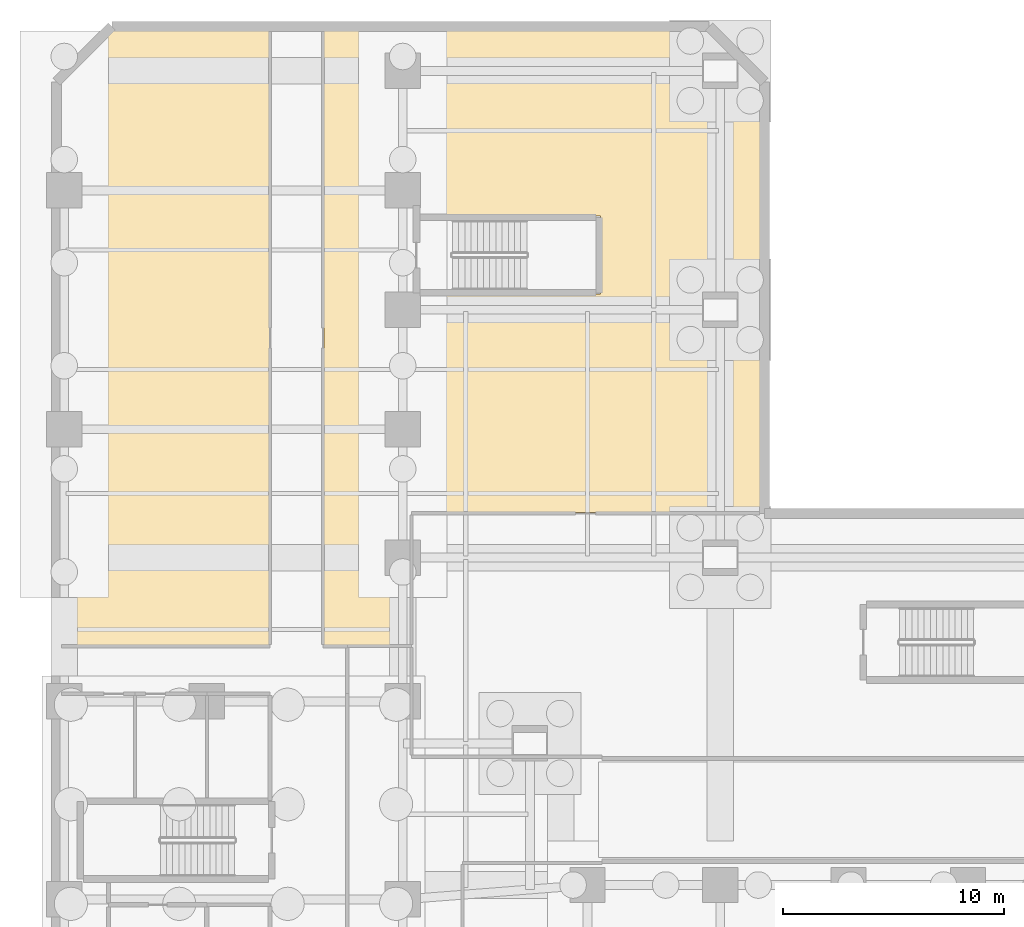
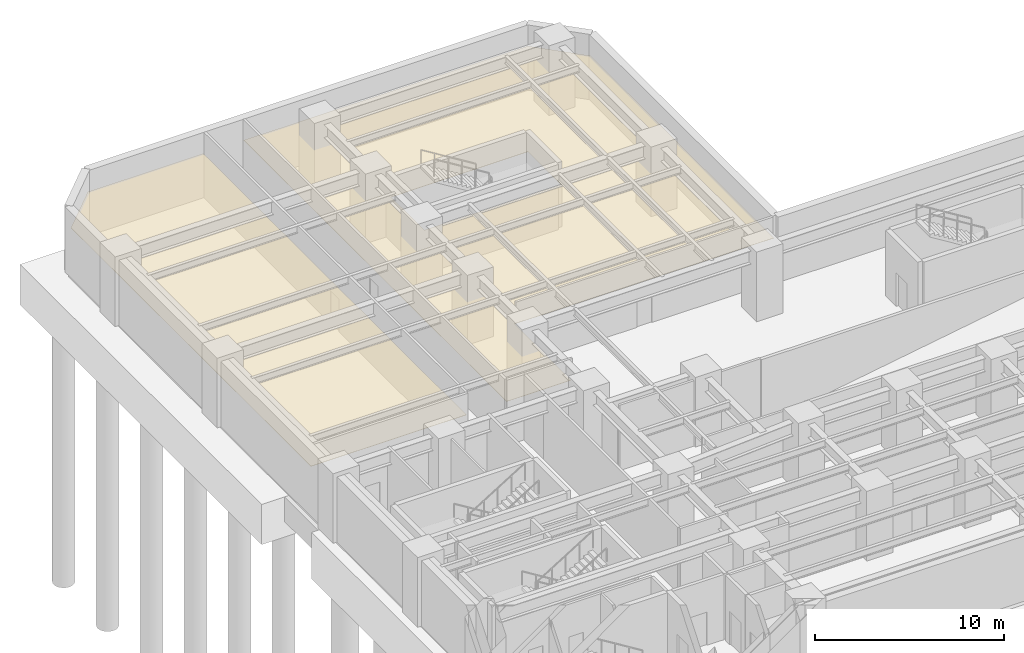
# One storey, part 8 of 10: 2 coverings.
"""IFC4 building model written with IfcOpenShell, lengths in metres."""

import ifcopenshell
import ifcopenshell.guid

model = None  # the IFC model being written
_history = None  # IfcOwnerHistory: only IFC2X3 demands one
_inside = {}  # id of a spatial element -> (the spatial element, [elements in it])
_under = {}  # id of a project, library or spatial element -> (it, [spatial elements below it])
_declared = {}  # id of a project -> (the project, [libraries it declares])
_typed = {}  # id of a type object -> (the type object, [elements of that type])
_made_of = {}  # id of a material, layer set ... -> (it, [elements and type objects made of it])


def new_model(schema):
    """Start an empty IFC model of exactly this schema.

    Asked for "IFC4X3", IfcOpenShell would pick the latest addendum, in which some entities
    have other attributes; the version numbers below select the first issue.
    IFC2X3 requires an IfcOwnerHistory on every rooted entity: one is made here for all.
    """
    global model, _history
    if schema == "IFC4X3":
        model = ifcopenshell.file(schema_version=(4, 3, 0, 0))
    else:
        model = ifcopenshell.file(schema=schema)
    _inside.clear()
    _under.clear()
    _declared.clear()
    _typed.clear()
    _made_of.clear()
    _history = None
    if model.schema == "IFC2X3":
        org = make("IfcOrganization", Name="unknown")
        user = make(
            "IfcPersonAndOrganization",
            ThePerson=make("IfcPerson", FamilyName="unknown"),
            TheOrganization=org,
        )
        app = make(
            "IfcApplication",
            ApplicationDeveloper=org,
            Version="unknown",
            ApplicationFullName="unknown",
            ApplicationIdentifier="unknown",
        )
        _history = make(
            "IfcOwnerHistory",
            OwningUser=user,
            OwningApplication=app,
            ChangeAction="ADDED",
            CreationDate=0,
        )
    return model


def make(cls, **values):
    """One entity of the class cls with the attributes given. An attribute that is None is left unset."""
    return model.create_entity(
        cls, **{name: value for name, value in values.items() if value is not None}
    )


def rooted(cls, **values):
    """An entity with a GlobalId (a new one), such as an element, a storey or a relation."""
    return make(cls, GlobalId=ifcopenshell.guid.new(), OwnerHistory=_history, **values)


def si_unit(unit_type, name, prefix=None):
    """IfcSIUnit, for example si_unit("LENGTHUNIT", "METRE", prefix="MILLI")."""
    return make("IfcSIUnit", UnitType=unit_type, Prefix=prefix, Name=name)


def assignment(units):
    """IfcUnitAssignment: the units of a project."""
    return None if units is None else make("IfcUnitAssignment", Units=units)


def point(xyz):
    """IfcCartesianPoint."""
    return None if xyz is None else make("IfcCartesianPoint", Coordinates=xyz)


def direction(xyz):
    """IfcDirection."""
    return None if xyz is None else make("IfcDirection", DirectionRatios=xyz)


def frame(location, z_axis=None, x_axis=None):
    """IfcAxis2Placement3D, a coordinate frame: its origin and axes. An axis left out is left unset."""
    return make(
        "IfcAxis2Placement3D",
        Location=point(location),
        Axis=direction(z_axis),
        RefDirection=direction(x_axis),
    )


def origin():
    """The frame at (0, 0, 0) with its axes left unset."""
    return frame((0.0, 0.0, 0.0))


def place(relative_to, where):
    """IfcLocalPlacement: puts the frame where relative to a parent placement (None: the world)."""
    return make(
        "IfcLocalPlacement", PlacementRelTo=relative_to, RelativePlacement=where
    )


def context(
    kind, dimensions, precision=None, world=None, true_north=None, identifier=None
):
    """IfcGeometricRepresentationContext, for example the 3D "Model" context."""
    return make(
        "IfcGeometricRepresentationContext",
        ContextIdentifier=identifier,
        ContextType=kind,
        CoordinateSpaceDimension=dimensions,
        Precision=precision,
        WorldCoordinateSystem=world,
        TrueNorth=true_north,
    )


def subcontext(parent, identifier, kind, view, scale=None):
    """IfcGeometricRepresentationSubContext, for example "Body" below "Model"."""
    return make(
        "IfcGeometricRepresentationSubContext",
        ContextIdentifier=identifier,
        ContextType=kind,
        ParentContext=parent,
        TargetScale=scale,
        TargetView=view,
    )


def project(units=None, contexts=None):
    """IfcProject with its units and contexts."""
    return rooted(
        "IfcProject",
        Name="project",
        RepresentationContexts=contexts,
        UnitsInContext=assignment(units),
    )


def spatial(cls, under=None, at=None, **own):
    """A site, building, storey or space (cls), placed at a placement, below another one or the project."""
    s = rooted(cls, ObjectPlacement=at, **own)
    if under is not None:
        _under.setdefault(under.id(), (under, []))[1].append(s)
    return s


def polyline(points):
    """IfcPolyline through the points."""
    return make("IfcPolyline", Points=[point(p) for p in points])


def outline(outer, holes=None, kind="AREA"):
    """IfcArbitraryClosedProfileDef: a profile drawn as a closed curve; with holes, ...WithVoids."""
    if holes is None:
        return make("IfcArbitraryClosedProfileDef", ProfileType=kind, OuterCurve=outer)
    return make(
        "IfcArbitraryProfileDefWithVoids",
        ProfileType=kind,
        OuterCurve=outer,
        InnerCurves=holes,
    )


def extrude(swept, where, along, depth):
    """IfcExtrudedAreaSolid: the profile swept, set in the frame where, extruded along a direction by depth."""
    return make(
        "IfcExtrudedAreaSolid",
        SweptArea=swept,
        Position=where,
        ExtrudedDirection=direction(along),
        Depth=depth,
    )


def shape(context_of_items, identifier, shape_type, items):
    """IfcShapeRepresentation: the items that make up one representation, for example the "Body"."""
    return make(
        "IfcShapeRepresentation",
        ContextOfItems=context_of_items,
        RepresentationIdentifier=identifier,
        RepresentationType=shape_type,
        Items=items,
    )


def material(Name=None, Category=None):
    """IfcMaterial."""
    return make("IfcMaterial", Name=Name, Category=Category)


def layer(
    of_material, thickness, ventilated=None, Name=None, Category=None, Priority=None
):
    """IfcMaterialLayer: one layer of a wall or slab, of a material (None: an air gap)."""
    return make(
        "IfcMaterialLayer",
        Material=of_material,
        LayerThickness=thickness,
        IsVentilated=ventilated,
        Name=Name,
        Category=Category,
        Priority=Priority,
    )


def layer_set(layers, Name=None):
    """IfcMaterialLayerSet."""
    return make("IfcMaterialLayerSet", MaterialLayers=layers, LayerSetName=Name)


def made_of(thing, what):
    """Note that an element or type object is made of a material, layer set ...; save() writes the relation."""
    if what is not None:
        _made_of.setdefault(what.id(), (what, []))[1].append(thing)
    return thing


def type_object(cls, material=None, **own):
    """A type object (cls), such as IfcWallType, which elements share."""
    return made_of(rooted(cls, **own), material)


def element(
    cls,
    number,
    at=None,
    inside=None,
    cuts=None,
    type_object=None,
    material=None,
    context=None,
    identifier="Body",
    shape_type=None,
    held_by="IfcProductDefinitionShape",
    body=None,
    shapes=None,
    **own,
):
    """One element of the class cls, such as IfcWall. Its Tag is "e" and its number.

    at: its placement. inside: the storey or other place that contains it. cuts: it is an
    opening in that element (IfcRelVoidsElement). A single representation is given by context,
    identifier, shape_type and body (its items); several are given by shapes. held_by: the class
    of the entity that holds the representations. save() writes the other relations.
    """
    e = rooted(cls, Tag="e%d" % number, ObjectPlacement=at, **own)
    if body is not None:
        shapes = [shape(context, identifier, shape_type, body)]
    if shapes is not None:
        e.Representation = make(held_by, Representations=shapes)
    if inside is not None:
        _inside.setdefault(inside.id(), (inside, []))[1].append(e)
    if cuts is not None:
        rooted(
            "IfcRelVoidsElement", RelatingBuildingElement=cuts, RelatedOpeningElement=e
        )
    if type_object is not None:
        _typed.setdefault(type_object.id(), (type_object, []))[1].append(e)
    return made_of(e, material)


def aggregate(whole, parts):
    """IfcRelAggregates: a whole, such as a stair, and the parts it consists of."""
    return rooted("IfcRelAggregates", RelatingObject=whole, RelatedObjects=parts)


def save(model, path):
    """Write the relations noted so far, then the file.

    IfcRelAggregates (storeys below a building ...), IfcRelContainedInSpatialStructure (elements
    in a storey), IfcRelDefinesByType, IfcRelAssociatesMaterial and IfcRelDeclares: one each for
    every whole, place, type object, material and project.
    """
    for whole, parts in _under.values():
        aggregate(whole, parts)
    for where, things in _inside.values():
        rooted(
            "IfcRelContainedInSpatialStructure",
            RelatedElements=things,
            RelatingStructure=where,
        )
    for kind, things in _typed.values():
        rooted("IfcRelDefinesByType", RelatedObjects=things, RelatingType=kind)
    for what, things in _made_of.values():
        rooted("IfcRelAssociatesMaterial", RelatedObjects=things, RelatingMaterial=what)
    for by, libraries in _declared.values():
        rooted("IfcRelDeclares", RelatingContext=by, RelatedDefinitions=libraries)
    model.write(path)


model = new_model("IFC4")

# Units and contexts
model_context = context("Model", 3, precision=1e-05, world=origin(), true_north=direction((0.0, 1.0)))
body_context = subcontext(model_context, "Body", "Model", "MODEL_VIEW")
ifc_project = project(units=[si_unit("LENGTHUNIT", "METRE"), si_unit("AREAUNIT", "SQUARE_METRE"), si_unit("VOLUMEUNIT", "CUBIC_METRE"), si_unit("PLANEANGLEUNIT", "RADIAN"), si_unit("MASSUNIT", "GRAM", prefix="KILO")], contexts=[model_context])

# Site, building, storey
site_placement = place(None, origin())
site = spatial("IfcSite", under=ifc_project, at=site_placement, CompositionType="ELEMENT")
building_placement = place(site_placement, origin())
building = spatial("IfcBuilding", under=site, at=building_placement, Name="Mawjaban Terraces University", CompositionType="ELEMENT")
storey_placement = place(building_placement, frame((0.0, 0.0, -9.0)))
storey = spatial("IfcBuildingStorey", under=building, at=storey_placement, Name="B2", CompositionType="ELEMENT", Elevation=-9.0)

# Coverings
ifc_material = material(Name="Acoustic mineral fibre ceiling tile", Category="masonry")
ifc_layer = layer(ifc_material, 0.02001953125)
ifc_layer_set = layer_set([ifc_layer], Name="Acoustic mineral fibre ceiling tile")
covering_type = type_object("IfcCoveringType", Name="AcousticMineralCeiling_20", PredefinedType="CEILING", material=ifc_layer_set)
covering_1_placement = place(storey_placement, frame((0.0, 0.0, 2.75)))
element("IfcCovering", 1, at=covering_1_placement, inside=storey, type_object=covering_type, Name="B2 University Central Archive Vault 1 Acoustic Ceiling", PredefinedType="CEILING", context=body_context, shape_type="SweptSolid", body=[
    extrude(outline(polyline([(31.6201171875, 53.885009765625), (24.547119140625, 53.885009765625), (22.114990234375, 51.452880859375), (22.114990234375, 26.030029296875), (31.6201171875, 26.030029296875), (31.6201171875, 53.885009765625)])), origin(), (0.0, 0.0, 1.0), 0.02001953125),
])
covering_2_placement = place(storey_placement, frame((0.0, 0.0, 2.75)))
element("IfcCovering", 2, at=covering_2_placement, inside=storey, type_object=covering_type, Name="B2 University Central Archive Vault 2 Acoustic Ceiling", PredefinedType="CEILING", context=body_context, shape_type="SweptSolid", body=[
    extrude(outline(polyline([(53.885009765625, 32.030029296875), (53.885009765625, 51.452880859375), (51.452880859375, 53.885009765625), (34.080078125, 53.885009765625), (34.080078125, 26.030029296875), (38.02001953125, 26.030029296875), (38.02001953125, 32.030029296875), (53.885009765625, 32.030029296875)]), holes=[polyline([(46.590087890625, 45.43994140625), (46.590087890625, 41.909912109375), (38.2099609375, 41.909912109375), (38.2099609375, 45.43994140625), (46.590087890625, 45.43994140625)])]), origin(), (0.0, 0.0, 1.0), 0.02001953125),
])

save(model, "model.ifc")
